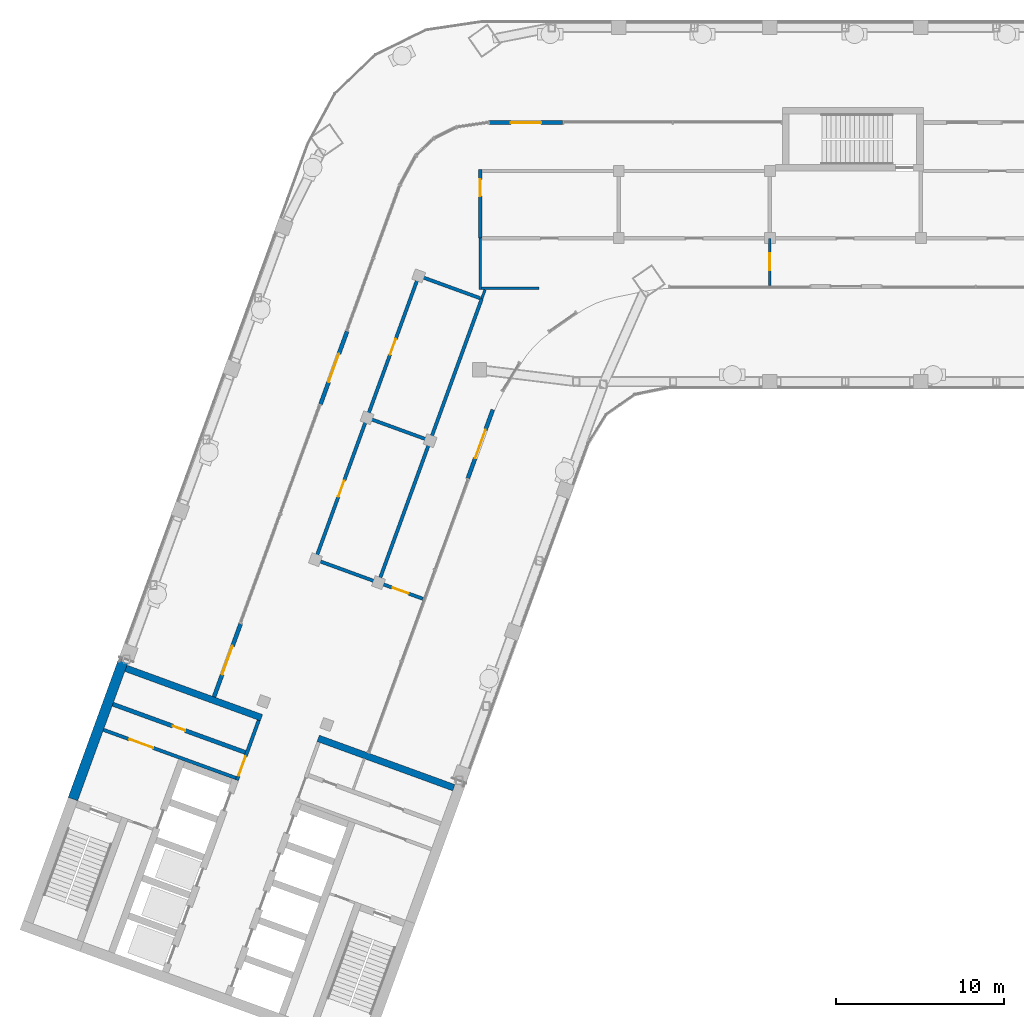
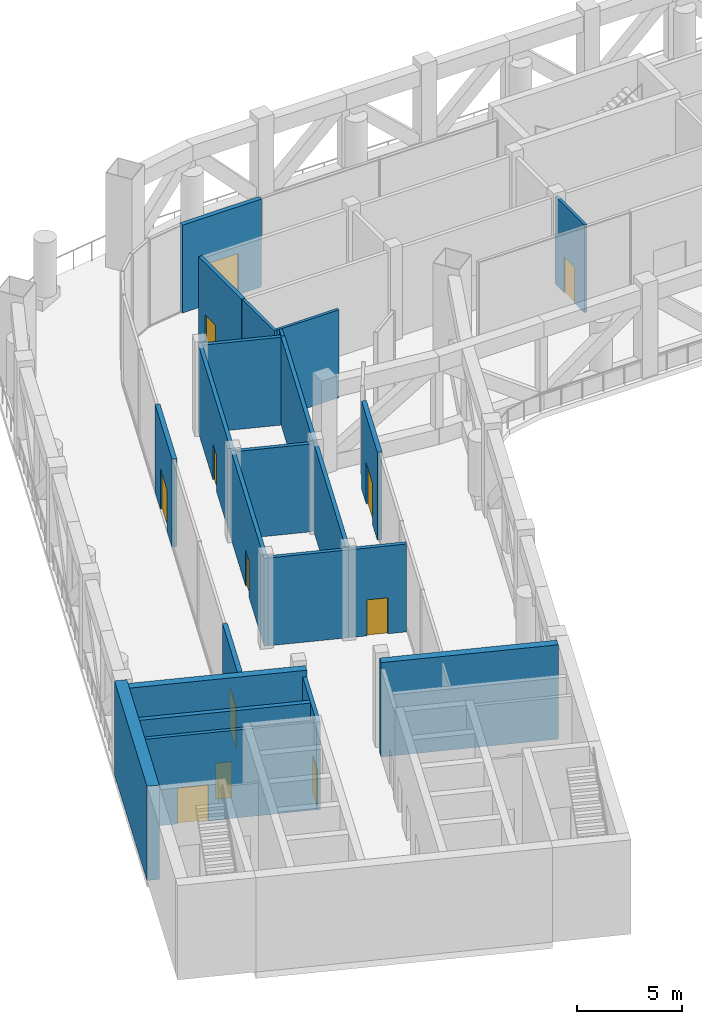
# One storey, part 12 of 19: 23 walls, 12 doors, 12 openings.
"""IFC4 building model written with IfcOpenShell, lengths in metres."""

import ifcopenshell
import ifcopenshell.guid

model = None  # the IFC model being written
_history = None  # IfcOwnerHistory: only IFC2X3 demands one
_inside = {}  # id of a spatial element -> (the spatial element, [elements in it])
_under = {}  # id of a project, library or spatial element -> (it, [spatial elements below it])
_declared = {}  # id of a project -> (the project, [libraries it declares])
_typed = {}  # id of a type object -> (the type object, [elements of that type])
_made_of = {}  # id of a material, layer set ... -> (it, [elements and type objects made of it])


def new_model(schema):
    """Start an empty IFC model of exactly this schema.

    Asked for "IFC4X3", IfcOpenShell would pick the latest addendum, in which some entities
    have other attributes; the version numbers below select the first issue.
    IFC2X3 requires an IfcOwnerHistory on every rooted entity: one is made here for all.
    """
    global model, _history
    if schema == "IFC4X3":
        model = ifcopenshell.file(schema_version=(4, 3, 0, 0))
    else:
        model = ifcopenshell.file(schema=schema)
    _inside.clear()
    _under.clear()
    _declared.clear()
    _typed.clear()
    _made_of.clear()
    _history = None
    if model.schema == "IFC2X3":
        org = make("IfcOrganization", Name="unknown")
        user = make(
            "IfcPersonAndOrganization",
            ThePerson=make("IfcPerson", FamilyName="unknown"),
            TheOrganization=org,
        )
        app = make(
            "IfcApplication",
            ApplicationDeveloper=org,
            Version="unknown",
            ApplicationFullName="unknown",
            ApplicationIdentifier="unknown",
        )
        _history = make(
            "IfcOwnerHistory",
            OwningUser=user,
            OwningApplication=app,
            ChangeAction="ADDED",
            CreationDate=0,
        )
    return model


def make(cls, **values):
    """One entity of the class cls with the attributes given. An attribute that is None is left unset."""
    return model.create_entity(
        cls, **{name: value for name, value in values.items() if value is not None}
    )


def rooted(cls, **values):
    """An entity with a GlobalId (a new one), such as an element, a storey or a relation."""
    return make(cls, GlobalId=ifcopenshell.guid.new(), OwnerHistory=_history, **values)


def si_unit(unit_type, name, prefix=None):
    """IfcSIUnit, for example si_unit("LENGTHUNIT", "METRE", prefix="MILLI")."""
    return make("IfcSIUnit", UnitType=unit_type, Prefix=prefix, Name=name)


def assignment(units):
    """IfcUnitAssignment: the units of a project."""
    return None if units is None else make("IfcUnitAssignment", Units=units)


def point(xyz):
    """IfcCartesianPoint."""
    return None if xyz is None else make("IfcCartesianPoint", Coordinates=xyz)


def direction(xyz):
    """IfcDirection."""
    return None if xyz is None else make("IfcDirection", DirectionRatios=xyz)


def frame(location, z_axis=None, x_axis=None):
    """IfcAxis2Placement3D, a coordinate frame: its origin and axes. An axis left out is left unset."""
    return make(
        "IfcAxis2Placement3D",
        Location=point(location),
        Axis=direction(z_axis),
        RefDirection=direction(x_axis),
    )


def frame_2d(location, x_axis=None):
    """IfcAxis2Placement2D, a coordinate frame in the plane: its origin and x axis."""
    return make(
        "IfcAxis2Placement2D", Location=point(location), RefDirection=direction(x_axis)
    )


def origin():
    """The frame at (0, 0, 0) with its axes left unset."""
    return frame((0.0, 0.0, 0.0))


def place(relative_to, where):
    """IfcLocalPlacement: puts the frame where relative to a parent placement (None: the world)."""
    return make(
        "IfcLocalPlacement", PlacementRelTo=relative_to, RelativePlacement=where
    )


def context(
    kind, dimensions, precision=None, world=None, true_north=None, identifier=None
):
    """IfcGeometricRepresentationContext, for example the 3D "Model" context."""
    return make(
        "IfcGeometricRepresentationContext",
        ContextIdentifier=identifier,
        ContextType=kind,
        CoordinateSpaceDimension=dimensions,
        Precision=precision,
        WorldCoordinateSystem=world,
        TrueNorth=true_north,
    )


def subcontext(parent, identifier, kind, view, scale=None):
    """IfcGeometricRepresentationSubContext, for example "Body" below "Model"."""
    return make(
        "IfcGeometricRepresentationSubContext",
        ContextIdentifier=identifier,
        ContextType=kind,
        ParentContext=parent,
        TargetScale=scale,
        TargetView=view,
    )


def project(units=None, contexts=None):
    """IfcProject with its units and contexts."""
    return rooted(
        "IfcProject",
        Name="project",
        RepresentationContexts=contexts,
        UnitsInContext=assignment(units),
    )


def spatial(cls, under=None, at=None, **own):
    """A site, building, storey or space (cls), placed at a placement, below another one or the project."""
    s = rooted(cls, ObjectPlacement=at, **own)
    if under is not None:
        _under.setdefault(under.id(), (under, []))[1].append(s)
    return s


def profile(cls, at=None, kind="AREA", **sizes):
    """A parametric profile (cls). Its sizes go by their IFC names, for example OverallWidth=200.0."""
    return make(cls, ProfileType=kind, Position=at, **sizes)


def rectangle(**sizes):
    """IfcRectangleProfileDef."""
    return profile("IfcRectangleProfileDef", **sizes)


def extrude(swept, where, along, depth):
    """IfcExtrudedAreaSolid: the profile swept, set in the frame where, extruded along a direction by depth."""
    return make(
        "IfcExtrudedAreaSolid",
        SweptArea=swept,
        Position=where,
        ExtrudedDirection=direction(along),
        Depth=depth,
    )


def shape(context_of_items, identifier, shape_type, items):
    """IfcShapeRepresentation: the items that make up one representation, for example the "Body"."""
    return make(
        "IfcShapeRepresentation",
        ContextOfItems=context_of_items,
        RepresentationIdentifier=identifier,
        RepresentationType=shape_type,
        Items=items,
    )


def material(Name=None, Category=None):
    """IfcMaterial."""
    return make("IfcMaterial", Name=Name, Category=Category)


def layer(
    of_material, thickness, ventilated=None, Name=None, Category=None, Priority=None
):
    """IfcMaterialLayer: one layer of a wall or slab, of a material (None: an air gap)."""
    return make(
        "IfcMaterialLayer",
        Material=of_material,
        LayerThickness=thickness,
        IsVentilated=ventilated,
        Name=Name,
        Category=Category,
        Priority=Priority,
    )


def layer_set(layers, Name=None):
    """IfcMaterialLayerSet."""
    return make("IfcMaterialLayerSet", MaterialLayers=layers, LayerSetName=Name)


def made_of(thing, what):
    """Note that an element or type object is made of a material, layer set ...; save() writes the relation."""
    if what is not None:
        _made_of.setdefault(what.id(), (what, []))[1].append(thing)
    return thing


def type_object(cls, material=None, **own):
    """A type object (cls), such as IfcWallType, which elements share."""
    return made_of(rooted(cls, **own), material)


def element(
    cls,
    number,
    at=None,
    inside=None,
    cuts=None,
    type_object=None,
    material=None,
    context=None,
    identifier="Body",
    shape_type=None,
    held_by="IfcProductDefinitionShape",
    body=None,
    shapes=None,
    **own,
):
    """One element of the class cls, such as IfcWall. Its Tag is "e" and its number.

    at: its placement. inside: the storey or other place that contains it. cuts: it is an
    opening in that element (IfcRelVoidsElement). A single representation is given by context,
    identifier, shape_type and body (its items); several are given by shapes. held_by: the class
    of the entity that holds the representations. save() writes the other relations.
    """
    e = rooted(cls, Tag="e%d" % number, ObjectPlacement=at, **own)
    if body is not None:
        shapes = [shape(context, identifier, shape_type, body)]
    if shapes is not None:
        e.Representation = make(held_by, Representations=shapes)
    if inside is not None:
        _inside.setdefault(inside.id(), (inside, []))[1].append(e)
    if cuts is not None:
        rooted(
            "IfcRelVoidsElement", RelatingBuildingElement=cuts, RelatedOpeningElement=e
        )
    if type_object is not None:
        _typed.setdefault(type_object.id(), (type_object, []))[1].append(e)
    return made_of(e, material)


def fill(opening, filler):
    """IfcRelFillsElement: the door or window that sits in an opening."""
    return rooted(
        "IfcRelFillsElement",
        RelatingOpeningElement=opening,
        RelatedBuildingElement=filler,
    )


def aggregate(whole, parts):
    """IfcRelAggregates: a whole, such as a stair, and the parts it consists of."""
    return rooted("IfcRelAggregates", RelatingObject=whole, RelatedObjects=parts)


def save(model, path):
    """Write the relations noted so far, then the file.

    IfcRelAggregates (storeys below a building ...), IfcRelContainedInSpatialStructure (elements
    in a storey), IfcRelDefinesByType, IfcRelAssociatesMaterial and IfcRelDeclares: one each for
    every whole, place, type object, material and project.
    """
    for whole, parts in _under.values():
        aggregate(whole, parts)
    for where, things in _inside.values():
        rooted(
            "IfcRelContainedInSpatialStructure",
            RelatedElements=things,
            RelatingStructure=where,
        )
    for kind, things in _typed.values():
        rooted("IfcRelDefinesByType", RelatedObjects=things, RelatingType=kind)
    for what, things in _made_of.values():
        rooted("IfcRelAssociatesMaterial", RelatedObjects=things, RelatingMaterial=what)
    for by, libraries in _declared.values():
        rooted("IfcRelDeclares", RelatingContext=by, RelatedDefinitions=libraries)
    model.write(path)


model = new_model("IFC4")

# Units and contexts
model_context = context("Model", 3, precision=1e-05, world=origin(), true_north=direction((0.0, 1.0)))
body_context = subcontext(model_context, "Body", "Model", "MODEL_VIEW")
ifc_project = project(units=[si_unit("LENGTHUNIT", "METRE"), si_unit("AREAUNIT", "SQUARE_METRE"), si_unit("VOLUMEUNIT", "CUBIC_METRE"), si_unit("PLANEANGLEUNIT", "RADIAN"), si_unit("MASSUNIT", "GRAM", prefix="KILO")], contexts=[model_context])

# Site, building, storey
site_placement = place(None, origin())
site = spatial("IfcSite", under=ifc_project, at=site_placement, CompositionType="ELEMENT")
building_placement = place(site_placement, origin())
building = spatial("IfcBuilding", under=site, at=building_placement, Name="Skarvind Civic Tower", CompositionType="ELEMENT")
storey_placement = place(building_placement, frame((0.0, 0.0, 129.0)))
storey = spatial("IfcBuildingStorey", under=building, at=storey_placement, Name="L30", CompositionType="ELEMENT", Elevation=129.0)

# Wall, opening, door
ifc_material_1 = material(Name="Fire-rated masonry partition", Category="masonry")
ifc_layer_1 = layer(ifc_material_1, 0.199951171875)
ifc_layer_set_1 = layer_set([ifc_layer_1], Name="Core enclosure wall 200")
wall_type_1 = type_object("IfcWallType", Name="Core enclosure wall 200", PredefinedType="PARTITIONING", material=ifc_layer_set_1)
wall_1_placement = place(storey_placement, frame((31.491455078125, 93.693359375, 0.0), z_axis=(0.0, 0.0, 1.0), x_axis=(0.341995824804, 0.939701471648, 0.0)))
wall_1 = element("IfcWall", 1, at=wall_1_placement, inside=storey, type_object=wall_type_1, Name="Core wall C2", PredefinedType="PARTITIONING", context=body_context, shape_type="SweptSolid", body=[
    extrude(rectangle(XDim=3.800048828125, YDim=0.199951171875, at=frame_2d((1.89990234375, 0.0))), origin(), (0.0, 0.0, 1.0), 5.125),
])
opening_1_placement = place(wall_1_placement, frame((0.300048828125, 0.0, 0.0)))
opening_1 = element("IfcOpeningElement", 2, at=opening_1_placement, cuts=wall_1, Name="Opening D-L30-C2-10", PredefinedType="OPENING", context=body_context, shape_type="SweptSolid", body=[
    extrude(rectangle(XDim=1.199951171875, YDim=2.10009765625, at=frame_2d((0.60009765625, 1.050048828125))), frame((0.0, 0.10986328125, 0.0), z_axis=(0.0, -1.0, 0.0), x_axis=(1.0, 0.0, 0.0)), (0.0, 0.0, 1.0), 0.219970703125),
])
ifc_material_2 = material(Name="Fire-rated steel door", Category="steel")
door_type_1 = type_object("IfcDoorType", Name="Core lobby door 1200", OperationType="NOTDEFINED", PredefinedType="DOOR", material=ifc_material_2)
door_1_placement = place(opening_1_placement, origin())
door_1 = element("IfcDoor", 3, at=door_1_placement, inside=storey, type_object=door_type_1, Name="Fire door", OperationType="DOUBLE_DOOR_SINGLE_SWING", OverallHeight=2.10009765625, OverallWidth=1.199951171875, PredefinedType="DOOR", context=body_context, shape_type="SweptSolid", body=[
    extrude(rectangle(XDim=1.199951171875, YDim=2.10009765625, at=frame_2d((0.60009765625, 1.050048828125))), frame((0.0, 0.02490234375, 0.0), z_axis=(0.0, -1.0, 0.0), x_axis=(1.0, 0.0, 0.0)), (0.0, 0.0, 1.0), 0.050048828125),
])
fill(opening_1, door_1)

wall_2_placement = place(storey_placement, frame((23.5380859375, 96.6943359375, 0.0), z_axis=(0.0, 0.0, 1.0), x_axis=(0.939691552312, -0.342023078919, 0.0)))
wall_2 = element("IfcWall", 4, at=wall_2_placement, inside=storey, type_object=wall_type_1, Name="Core wall C2", PredefinedType="PARTITIONING", context=body_context, shape_type="SweptSolid", body=[
    extrude(rectangle(XDim=8.400146484375, YDim=0.199951171875, at=frame_2d((4.2001953125, 0.0))), origin(), (0.0, 0.0, 1.0), 5.125),
])
opening_2_placement = place(wall_2_placement, frame((1.64990234375, 0.0, 0.0)))
opening_2 = element("IfcOpeningElement", 5, at=opening_2_placement, cuts=wall_2, Name="Opening D-L30-C2-11", PredefinedType="OPENING", context=body_context, shape_type="SweptSolid", body=[
    extrude(rectangle(XDim=1.5, YDim=2.10009765625, at=frame_2d((0.75, 1.050048828125))), frame((0.0, 0.10986328125, 0.0), z_axis=(0.0, -1.0, 0.0), x_axis=(1.0, 0.0, 0.0)), (0.0, 0.0, 1.0), 0.219970703125),
])
door_type_2 = type_object("IfcDoorType", Name="Fire door 1500", OperationType="NOTDEFINED", PredefinedType="DOOR", material=ifc_material_2)
door_2_placement = place(opening_2_placement, origin())
door_2 = element("IfcDoor", 6, at=door_2_placement, inside=storey, type_object=door_type_2, Name="Fire door", OperationType="DOUBLE_DOOR_SINGLE_SWING", OverallHeight=2.10009765625, OverallWidth=1.5, PredefinedType="DOOR", context=body_context, shape_type="SweptSolid", body=[
    extrude(rectangle(XDim=1.5, YDim=2.10009765625, at=frame_2d((0.75, 1.050048828125))), frame((0.0, 0.02490234375, 0.0), z_axis=(0.0, -1.0, 0.0), x_axis=(1.0, 0.0, 0.0)), (0.0, 0.0, 1.0), 0.050048828125),
])
fill(opening_2, door_2)

# Walls
ifc_material_3 = material(Name="Concrete C80", Category="concrete")
ifc_layer_2 = layer(ifc_material_3, 0.39990234375)
ifc_layer_set_2 = layer_set([ifc_layer_2], Name="Core wall 400 C80")
wall_type_2 = type_object("IfcWallType", Name="Core wall 400 C80", PredefinedType="SHEAR", material=ifc_layer_set_2)
for number, where, z_axis, x_axis, name in (
    (7, (44.417724609375, 93.2451171875, 0.0), (0.0, 0.0, 1.0), (-0.93969060187, 0.342025690201, 0.0), "Core wall C2 south inner face L30"),
    (8, (32.953369140625, 97.417724609375, 0.0), (0.0, 0.0, 1.0), (-0.93969060187, 0.342025690201, 0.0), "Core wall C2 north inner face L30"),
):
    element("IfcWall", number, at=place(storey_placement, frame(where, z_axis=z_axis, x_axis=x_axis)), inside=storey, type_object=wall_type_2, Name=name, PredefinedType="SHEAR", context=body_context, shape_type="SweptSolid", body=[
        extrude(rectangle(XDim=8.599853515625, YDim=0.39990234375, at=frame_2d((4.2998046875, 0.0))), origin(), (0.0, 0.0, 1.0), 5.5),
    ])
ifc_layer_3 = layer(ifc_material_3, 0.60009765625)
ifc_layer_set_3 = layer_set([ifc_layer_3], Name="Core wall 600 C80")
wall_type_3 = type_object("IfcWallType", Name="Core wall 600 C80", PredefinedType="SHEAR", material=ifc_layer_set_3)
wall_3_placement = place(storey_placement, frame((21.71728515625, 92.568359375, 0.0), z_axis=(0.0, 0.0, 1.0), x_axis=(0.342017595281, 0.939693548195, 0.0)))
element("IfcWall", 9, at=wall_3_placement, inside=storey, type_object=wall_type_3, Name="Core wall C2 north side L30", PredefinedType="SHEAR", context=body_context, shape_type="SweptSolid", body=[
    extrude(rectangle(XDim=8.925048828125, YDim=0.60009765625, at=frame_2d((4.46240234375, 0.0))), origin(), (0.0, 0.0, 1.0), 5.5),
])

# Wall, opening, door
ifc_material_4 = material(Name="Fire-rated blockwork wall, plastered", Category="masonry")
ifc_layer_4 = layer(ifc_material_4, 0.199951171875)
ifc_layer_set_4 = layer_set([ifc_layer_4], Name="FIRE WALL 200 EI 120")
wall_type_4 = type_object("IfcWallType", Name="FIRE WALL 200 EI 120", PredefinedType="PARTITIONING", material=ifc_layer_set_4)
wall_4_placement = place(storey_placement, frame((39.2470703125, 115.29296875, 0.0), z_axis=(0.0, 0.0, 1.0), x_axis=(-0.341995091026, -0.939701738699, 0.0)))
wall_4 = element("IfcWall", 10, at=wall_4_placement, inside=storey, type_object=wall_type_4, Name="Separator partition L30 001", PredefinedType="PARTITIONING", context=body_context, shape_type="SweptSolid", body=[
    extrude(rectangle(XDim=9.099609375, YDim=0.199951171875, at=frame_2d((4.5498046875, 0.0))), origin(), (0.0, 0.0, 1.0), 5.125),
])
opening_3_placement = place(wall_4_placement, frame((4.0, 0.0, 0.0)))
opening_3 = element("IfcOpeningElement", 11, at=opening_3_placement, cuts=wall_4, Name="Opening L30-D201", PredefinedType="OPENING", context=body_context, shape_type="SweptSolid", body=[
    extrude(rectangle(XDim=1.0, YDim=2.10009765625, at=frame_2d((0.5, 1.050048828125))), frame((0.0, 0.10986328125, 0.0), z_axis=(0.0, -1.0, 0.0), x_axis=(1.0, 0.0, 0.0)), (0.0, 0.0, 1.0), 0.219970703125),
])
ifc_material_5 = material(Name="Painted steel fire door leaf", Category="steel")
door_type_3 = type_object("IfcDoorType", Name="FIRE DOOR 1000X2100 STEEL", OperationType="NOTDEFINED", PredefinedType="DOOR", material=ifc_material_5)
door_3_placement = place(opening_3_placement, origin())
door_3 = element("IfcDoor", 12, at=door_3_placement, inside=storey, type_object=door_type_3, Name="FIRE DOOR", OperationType="SINGLE_SWING_RIGHT", OverallHeight=2.10009765625, OverallWidth=1.0, PredefinedType="DOOR", context=body_context, shape_type="SweptSolid", body=[
    extrude(rectangle(XDim=1.0, YDim=2.10009765625, at=frame_2d((0.5, 1.050048828125))), frame((0.0, 0.02490234375, 0.0), z_axis=(0.0, -1.0, 0.0), x_axis=(1.0, 0.0, 0.0)), (0.0, 0.0, 1.0), 0.050048828125),
])
fill(opening_3, door_3)

# Walls
wall_5_placement = place(storey_placement, frame((36.262939453125, 106.802001953125, 0.0), z_axis=(0.0, 0.0, 1.0), x_axis=(0.939661734164, -0.342104991703, 0.0)))
element("IfcWall", 13, at=wall_5_placement, inside=storey, type_object=wall_type_4, Name="Separator partition L30 002", PredefinedType="PARTITIONING", context=body_context, shape_type="SweptSolid", body=[
    extrude(rectangle(XDim=3.8994140625, YDim=0.199951171875, at=frame_2d((1.94970703125, 0.0))), origin(), (0.0, 0.0, 1.0), 5.125),
])
wall_6_placement = place(storey_placement, frame((39.341064453125, 115.259033203125, 0.0), z_axis=(0.0, 0.0, 1.0), x_axis=(0.939667689469, -0.342088633789, 0.0)))
element("IfcWall", 14, at=wall_6_placement, inside=storey, type_object=wall_type_4, Name="Separator partition L30 004", PredefinedType="PARTITIONING", context=body_context, shape_type="SweptSolid", body=[
    extrude(rectangle(XDim=3.80029296875, YDim=0.199951171875, at=frame_2d((1.900146484375, 0.0))), origin(), (0.0, 0.0, 1.0), 5.125),
])
wall_7_placement = place(storey_placement, frame((39.9609375, 105.56201171875, 0.0), z_axis=(0.0, 0.0, 1.0), x_axis=(0.342146086239, 0.939646771756, 0.0)))
element("IfcWall", 15, at=wall_7_placement, inside=storey, type_object=wall_type_4, Name="Separator partition L30 006", PredefinedType="PARTITIONING", context=body_context, shape_type="SweptSolid", body=[
    extrude(rectangle(XDim=8.900146484375, YDim=0.199951171875, at=frame_2d((4.4501953125, 0.0))), origin(), (0.0, 0.0, 1.0), 5.125),
])

# Wall, opening, door
ifc_layer_5 = layer(ifc_material_4, 0.199951171875)
ifc_layer_set_5 = layer_set([ifc_layer_5], Name="FIRE WALL 200 EI 60")
wall_type_5 = type_object("IfcWallType", Name="FIRE WALL 200 EI 60", PredefinedType="PARTITIONING", material=ifc_layer_set_5)
wall_8_placement = place(storey_placement, frame((42.35888671875, 123.844970703125, 0.0), z_axis=(0.0, 0.0, 1.0), x_axis=(-0.341936915144, -0.939722909193, 0.0)))
wall_8 = element("IfcWall", 16, at=wall_8_placement, inside=storey, type_object=wall_type_5, Name="Separator partition L30 003", PredefinedType="PARTITIONING", context=body_context, shape_type="SweptSolid", body=[
    extrude(rectangle(XDim=9.1005859375, YDim=0.199951171875, at=frame_2d((4.55029296875, 0.0))), origin(), (0.0, 0.0, 1.0), 5.125),
])
opening_4_placement = place(wall_8_placement, frame((4.10009765625, 0.0, 0.0)))
opening_4 = element("IfcOpeningElement", 17, at=opening_4_placement, cuts=wall_8, Name="Opening L30-D202", PredefinedType="OPENING", context=body_context, shape_type="SweptSolid", body=[
    extrude(rectangle(XDim=1.0, YDim=2.10009765625, at=frame_2d((0.5, 1.050048828125))), frame((0.0, 0.10986328125, 0.0), z_axis=(0.0, -1.0, 0.0), x_axis=(1.0, 0.0, 0.0)), (0.0, 0.0, 1.0), 0.219970703125),
])
door_4_placement = place(opening_4_placement, origin())
door_4 = element("IfcDoor", 18, at=door_4_placement, inside=storey, type_object=door_type_3, Name="FIRE DOOR", OperationType="SINGLE_SWING_LEFT", OverallHeight=2.10009765625, OverallWidth=1.0, PredefinedType="DOOR", context=body_context, shape_type="SweptSolid", body=[
    extrude(rectangle(XDim=1.0, YDim=2.10009765625, at=frame_2d((0.5, 1.050048828125))), frame((0.0, 0.02490234375, 0.0), z_axis=(0.0, -1.0, 0.0), x_axis=(1.0, 0.0, 0.0)), (0.0, 0.0, 1.0), 0.050048828125),
])
fill(opening_4, door_4)

wall_9_placement = place(storey_placement, frame((39.927001953125, 105.468017578125, 0.0), z_axis=(0.0, 0.0, 1.0), x_axis=(0.939735268824, -0.341902946065, 0.0)))
wall_9 = element("IfcWall", 19, at=wall_9_placement, inside=storey, type_object=wall_type_5, Name="Separator partition L30 005", PredefinedType="PARTITIONING", context=body_context, shape_type="SweptSolid", body=[
    extrude(rectangle(XDim=2.81982421875, YDim=0.199951171875, at=frame_2d((1.409912109375, 0.0))), origin(), (0.0, 0.0, 1.0), 5.125),
])
opening_5_placement = place(wall_9_placement, frame((0.90087890625, 0.0, 0.0)))
opening_5 = element("IfcOpeningElement", 20, at=opening_5_placement, cuts=wall_9, Name="Opening L30-D203", PredefinedType="OPENING", context=body_context, shape_type="SweptSolid", body=[
    extrude(rectangle(XDim=1.0, YDim=2.10009765625, at=frame_2d((0.5, 1.050048828125))), frame((0.0, 0.10986328125, 0.0), z_axis=(0.0, -1.0, 0.0), x_axis=(1.0, 0.0, 0.0)), (0.0, 0.0, 1.0), 0.219970703125),
])
door_5_placement = place(opening_5_placement, origin())
door_5 = element("IfcDoor", 21, at=door_5_placement, inside=storey, type_object=door_type_3, Name="FIRE DOOR", OperationType="SINGLE_SWING_RIGHT", OverallHeight=2.10009765625, OverallWidth=1.0, PredefinedType="DOOR", context=body_context, shape_type="SweptSolid", body=[
    extrude(rectangle(XDim=1.0, YDim=2.10009765625, at=frame_2d((0.5, 1.050048828125))), frame((0.0, 0.02490234375, 0.0), z_axis=(0.0, -1.0, 0.0), x_axis=(1.0, 0.0, 0.0)), (0.0, 0.0, 1.0), 0.050048828125),
])
fill(opening_5, door_5)

# Walls
wall_10_placement = place(storey_placement, frame((42.4189453125, 123.717041015625, 0.0), z_axis=(0.0, 0.0, 1.0), x_axis=(0.939667689469, -0.342088633789, 0.0)))
element("IfcWall", 22, at=wall_10_placement, inside=storey, type_object=wall_type_5, Name="Separator partition L30 007", PredefinedType="PARTITIONING", context=body_context, shape_type="SweptSolid", body=[
    extrude(rectangle(XDim=3.80029296875, YDim=0.199951171875, at=frame_2d((1.900146484375, 0.0))), origin(), (0.0, 0.0, 1.0), 5.125),
])
wall_11_placement = place(storey_placement, frame((43.006103515625, 113.925048828125, 0.0), z_axis=(0.0, 0.0, 1.0), x_axis=(0.341963022424, 0.939713409128, 0.0)))
element("IfcWall", 23, at=wall_11_placement, inside=storey, type_object=wall_type_5, Name="Separator partition L30 008", PredefinedType="PARTITIONING", context=body_context, shape_type="SweptSolid", body=[
    extrude(rectangle(XDim=9.000732421875, YDim=0.199951171875, at=frame_2d((4.50048828125, 0.0))), origin(), (0.0, 0.0, 1.0), 5.125),
])

# Wall, opening, door
wall_12_placement = place(storey_placement, frame((46.0, 130.10009765625, 0.0), z_axis=(0.0, 0.0, 1.0), x_axis=(0.0, -1.0, 0.0)))
wall_12 = element("IfcWall", 24, at=wall_12_placement, inside=storey, type_object=wall_type_5, Name="Separator partition L30 011", PredefinedType="PARTITIONING", context=body_context, shape_type="SweptSolid", body=[
    extrude(rectangle(XDim=4.10009765625, YDim=0.199951171875, at=frame_2d((2.050048828125, 0.0))), origin(), (0.0, 0.0, 1.0), 5.125),
])
opening_6_placement = place(wall_12_placement, frame((0.60205078125, 0.0, 0.0)))
opening_6 = element("IfcOpeningElement", 25, at=opening_6_placement, cuts=wall_12, Name="Opening L30-D204", PredefinedType="OPENING", context=body_context, shape_type="SweptSolid", body=[
    extrude(rectangle(XDim=1.0, YDim=2.10009765625, at=frame_2d((0.5, 1.050048828125))), frame((0.0, 0.10986328125, 0.0), z_axis=(0.0, -1.0, 0.0), x_axis=(1.0, 0.0, 0.0)), (0.0, 0.0, 1.0), 0.219970703125),
])
door_6_placement = place(opening_6_placement, origin())
door_6 = element("IfcDoor", 26, at=door_6_placement, inside=storey, type_object=door_type_3, Name="FIRE DOOR", OperationType="SINGLE_SWING_LEFT", OverallHeight=2.10009765625, OverallWidth=1.0, PredefinedType="DOOR", context=body_context, shape_type="SweptSolid", body=[
    extrude(rectangle(XDim=1.0, YDim=2.10009765625, at=frame_2d((0.5, 1.050048828125))), frame((0.0, 0.02490234375, 0.0), z_axis=(0.0, -1.0, 0.0), x_axis=(1.0, 0.0, 0.0)), (0.0, 0.0, 1.0), 0.050048828125),
])
fill(opening_6, door_6)

# Walls
ifc_material_6 = material(Name="Plasterboard partition on steel studs", Category="steel")
ifc_layer_6 = layer(ifc_material_6, 0.14990234375)
ifc_layer_set_6 = layer_set([ifc_layer_6], Name="PARTITION 150")
wall_type_6 = type_object("IfcWallType", Name="PARTITION 150", PredefinedType="PARTITIONING", material=ifc_layer_set_6)
wall_13_placement = place(storey_placement, frame((46.0, 122.925048828125, 0.0), z_axis=(0.0, 0.0, 1.0), x_axis=(0.0, 1.0, 0.0)))
element("IfcWall", 27, at=wall_13_placement, inside=storey, type_object=wall_type_6, Name="Separator partition L30 009", PredefinedType="PARTITIONING", context=body_context, shape_type="SweptSolid", body=[
    extrude(rectangle(XDim=3.074951171875, YDim=0.14990234375, at=frame_2d((1.53759765625, 0.0))), origin(), (0.0, 0.0, 1.0), 5.125),
])
wall_14_placement = place(storey_placement, frame((46.074951171875, 123.0, 0.0), z_axis=(0.0, 0.0, 1.0), x_axis=(1.0, 0.0, 0.0)))
element("IfcWall", 28, at=wall_14_placement, inside=storey, type_object=wall_type_6, Name="Separator partition L30 010", PredefinedType="PARTITIONING", context=body_context, shape_type="SweptSolid", body=[
    extrude(rectangle(XDim=3.426025390625, YDim=0.14990234375, at=frame_2d((1.712890625, 0.0))), origin(), (0.0, 0.0, 1.0), 5.125),
])
wall_15_placement = place(storey_placement, frame((46.083984375, 122.383056640625, 0.0), z_axis=(0.0, 0.0, 1.0), x_axis=(0.343135526399, 0.939285904569, 0.0)))
element("IfcWall", 29, at=wall_15_placement, inside=storey, type_object=wall_type_6, Name="Separator partition L30 014", PredefinedType="PARTITIONING", context=body_context, shape_type="SweptSolid", body=[
    extrude(rectangle(XDim=0.576904296875, YDim=0.14990234375, at=frame_2d((0.28857421875, 0.0))), origin(), (0.0, 0.0, 1.0), 5.125),
])

# Wall, opening, door
wall_16_placement = place(storey_placement, frame((63.25, 123.179931640625, 0.0), z_axis=(0.0, 0.0, 1.0), x_axis=(0.0, 1.0, 0.0)))
wall_16 = element("IfcWall", 30, at=wall_16_placement, inside=storey, type_object=wall_type_6, Name="Separator partition L30 016", PredefinedType="PARTITIONING", context=body_context, shape_type="SweptSolid", body=[
    extrude(rectangle(XDim=2.800048828125, YDim=0.14990234375, at=frame_2d((1.39990234375, 0.0))), origin(), (0.0, 0.0, 1.0), 5.125),
])
opening_7_placement = place(wall_16_placement, frame((0.919921875, 0.0, 0.0)))
opening_7 = element("IfcOpeningElement", 31, at=opening_7_placement, cuts=wall_16, Name="Opening L30-D207", PredefinedType="OPENING", context=body_context, shape_type="SweptSolid", body=[
    extrude(rectangle(XDim=1.0, YDim=2.10009765625, at=frame_2d((0.5, 1.050048828125))), frame((0.0, 0.0849609375, 0.0), z_axis=(0.0, -1.0, 0.0), x_axis=(1.0, 0.0, 0.0)), (0.0, 0.0, 1.0), 0.169921875),
])
ifc_material_7 = material(Name="Timber veneer door leaf", Category="wood")
door_type_4 = type_object("IfcDoorType", Name="DOOR 1000X2100 TIMBER", OperationType="NOTDEFINED", PredefinedType="DOOR", material=ifc_material_7)
door_7_placement = place(opening_7_placement, origin())
door_7 = element("IfcDoor", 32, at=door_7_placement, inside=storey, type_object=door_type_4, Name="DOOR DOOR", OperationType="SINGLE_SWING_RIGHT", OverallHeight=2.10009765625, OverallWidth=1.0, PredefinedType="DOOR", context=body_context, shape_type="SweptSolid", body=[
    extrude(rectangle(XDim=1.0, YDim=2.10009765625, at=frame_2d((0.5, 1.050048828125))), frame((0.0, 0.02490234375, 0.0), z_axis=(0.0, -1.0, 0.0), x_axis=(1.0, 0.0, 0.0)), (0.0, 0.0, 1.0), 0.050048828125),
])
fill(opening_7, door_7)

ifc_layer_7 = layer(ifc_material_1, 0.25)
ifc_layer_set_7 = layer_set([ifc_layer_7], Name="Service block wall 250")
wall_type_7 = type_object("IfcWallType", Name="Service block wall 250", PredefinedType="PARTITIONING", material=ifc_layer_set_7)
wall_17_placement = place(storey_placement, frame((24.093994140625, 98.221435546875, 0.0), z_axis=(0.0, 0.0, 1.0), x_axis=(0.939691552312, -0.342023078919, 0.0)))
wall_17 = element("IfcWall", 33, at=wall_17_placement, inside=storey, type_object=wall_type_7, Name="Core wall C2", PredefinedType="PARTITIONING", context=body_context, shape_type="SweptSolid", body=[
    extrude(rectangle(XDim=8.400146484375, YDim=0.25, at=frame_2d((4.2001953125, 0.0))), origin(), (0.0, 0.0, 1.0), 5.125),
])
opening_8_placement = place(wall_17_placement, frame((3.800048828125, 0.0, 0.0)))
opening_8 = element("IfcOpeningElement", 34, at=opening_8_placement, cuts=wall_17, Name="Opening D-L30-C2-14", PredefinedType="OPENING", context=body_context, shape_type="SweptSolid", body=[
    extrude(rectangle(XDim=0.800048828125, YDim=2.10009765625, at=frame_2d((0.39990234375, 1.050048828125))), frame((0.0, 0.135009765625, 0.0), z_axis=(0.0, -1.0, 0.0), x_axis=(1.0, 0.0, 0.0)), (0.0, 0.0, 1.0), 0.27001953125),
])
door_type_5 = type_object("IfcDoorType", Name="Core riser door 800", OperationType="NOTDEFINED", PredefinedType="DOOR", material=ifc_material_2)
door_8_placement = place(opening_8_placement, origin())
door_8 = element("IfcDoor", 35, at=door_8_placement, inside=storey, type_object=door_type_5, Name="Riser door", OperationType="SINGLE_SWING_LEFT", OverallHeight=2.10009765625, OverallWidth=0.800048828125, PredefinedType="DOOR", context=body_context, shape_type="SweptSolid", body=[
    extrude(rectangle(XDim=0.800048828125, YDim=2.10009765625, at=frame_2d((0.39990234375, 1.050048828125))), frame((0.0, 0.02490234375, 0.0), z_axis=(0.0, -1.0, 0.0), x_axis=(1.0, 0.0, 0.0)), (0.0, 0.0, 1.0), 0.050048828125),
])
fill(opening_8, door_8)

ifc_material_8 = material(Name="Limestone masonry cladding on insulated backing", Category="masonry")
ifc_layer_8 = layer(ifc_material_8, 0.239990234375)
ifc_layer_set_8 = layer_set([ifc_layer_8], Name="WX4 STONE DOOR PIER WALL 240")
wall_type_8 = type_object("IfcWallType", Name="WX4 STONE DOOR PIER WALL 240", PredefinedType="SOLIDWALL", material=ifc_layer_set_8)
wall_18_placement = place(storey_placement, frame((46.7431640625, 115.7734375, 0.0), z_axis=(0.0, 0.0, 1.0), x_axis=(-0.342004232448, -0.939698411719, 0.0)))
wall_18 = element("IfcWall", 36, at=wall_18_placement, inside=storey, type_object=wall_type_8, Name="STONE DOOR PIER WALL", PredefinedType="SOLIDWALL", context=body_context, shape_type="SweptSolid", body=[
    extrude(rectangle(XDim=4.35302734375, YDim=0.239990234375, at=frame_2d((2.176513671875, 0.0))), origin(), (0.0, 0.0, 1.0), 5.125),
])
opening_9_placement = place(wall_18_placement, frame((1.276611328125, 0.0, 0.0)))
opening_9 = element("IfcOpeningElement", 37, at=opening_9_placement, cuts=wall_18, Name="Opening DX3", PredefinedType="OPENING", context=body_context, shape_type="SweptSolid", body=[
    extrude(rectangle(XDim=1.800048828125, YDim=2.39990234375, at=frame_2d((0.89990234375, 1.199951171875))), frame((0.0, 0.1298828125, 0.0), z_axis=(0.0, -1.0, 0.0), x_axis=(1.0, 0.0, 0.0)), (0.0, 0.0, 1.0), 0.260009765625),
])
ifc_material_9 = material(Name="Timber and glass doorset", Category="wood")
door_type_6 = type_object("IfcDoorType", Name="DX3 TERRACE DOORS 1800 x 2400", OperationType="NOTDEFINED", PredefinedType="DOOR", material=ifc_material_9)
door_9_placement = place(opening_9_placement, origin())
door_9 = element("IfcDoor", 38, at=door_9_placement, inside=storey, type_object=door_type_6, Name="TERRACE DOORS", OperationType="DOUBLE_DOOR_SINGLE_SWING", OverallHeight=2.39990234375, OverallWidth=1.800048828125, PredefinedType="DOOR", context=body_context, shape_type="SweptSolid", body=[
    extrude(rectangle(XDim=1.800048828125, YDim=2.39990234375, at=frame_2d((0.89990234375, 1.199951171875))), frame((0.0, 0.02490234375, 0.0), z_axis=(0.0, -1.0, 0.0), x_axis=(1.0, 0.0, 0.0)), (0.0, 0.0, 1.0), 0.050048828125),
])
fill(opening_9, door_9)

wall_19_placement = place(storey_placement, frame((46.539306640625, 132.8798828125, 0.0), z_axis=(0.0, 0.0, 1.0), x_axis=(1.0, 0.0, 0.0)))
wall_19 = element("IfcWall", 39, at=wall_19_placement, inside=storey, type_object=wall_type_8, Name="STONE DOOR PIER WALL", PredefinedType="SOLIDWALL", context=body_context, shape_type="SweptSolid", body=[
    extrude(rectangle(XDim=4.364990234375, YDim=0.239990234375, at=frame_2d((2.1826171875, 0.0))), origin(), (0.0, 0.0, 1.0), 5.125),
])
opening_10_placement = place(wall_19_placement, frame((1.28271484375, 0.0, 0.0)))
opening_10 = element("IfcOpeningElement", 40, at=opening_10_placement, cuts=wall_19, Name="Opening DX3", PredefinedType="OPENING", context=body_context, shape_type="SweptSolid", body=[
    extrude(rectangle(XDim=1.800048828125, YDim=2.39990234375, at=frame_2d((0.89990234375, 1.199951171875))), frame((0.0, 0.1298828125, 0.0), z_axis=(0.0, -1.0, 0.0), x_axis=(1.0, 0.0, 0.0)), (0.0, 0.0, 1.0), 0.260009765625),
])
door_10_placement = place(opening_10_placement, origin())
door_10 = element("IfcDoor", 41, at=door_10_placement, inside=storey, type_object=door_type_6, Name="TERRACE DOORS", OperationType="DOUBLE_DOOR_SINGLE_SWING", OverallHeight=2.39990234375, OverallWidth=1.800048828125, PredefinedType="DOOR", context=body_context, shape_type="SweptSolid", body=[
    extrude(rectangle(XDim=1.800048828125, YDim=2.39990234375, at=frame_2d((0.89990234375, 1.199951171875))), frame((0.0, 0.02490234375, 0.0), z_axis=(0.0, -1.0, 0.0), x_axis=(1.0, 0.0, 0.0)), (0.0, 0.0, 1.0), 0.050048828125),
])
fill(opening_10, door_10)

wall_20_placement = place(storey_placement, frame((30.127685546875, 98.6591796875, 0.0), z_axis=(0.0, 0.0, 1.0), x_axis=(0.341996679836, 0.939701160466, 0.0)))
wall_20 = element("IfcWall", 42, at=wall_20_placement, inside=storey, type_object=wall_type_8, Name="STONE DOOR PIER WALL", PredefinedType="SOLIDWALL", context=body_context, shape_type="SweptSolid", body=[
    extrude(rectangle(XDim=4.63720703125, YDim=0.239990234375, at=frame_2d((2.318603515625, 0.0))), origin(), (0.0, 0.0, 1.0), 5.125),
])
opening_11_placement = place(wall_20_placement, frame((1.418701171875, 0.0, 0.0)))
opening_11 = element("IfcOpeningElement", 43, at=opening_11_placement, cuts=wall_20, Name="Opening DX3", PredefinedType="OPENING", context=body_context, shape_type="SweptSolid", body=[
    extrude(rectangle(XDim=1.800048828125, YDim=2.39990234375, at=frame_2d((0.89990234375, 1.199951171875))), frame((0.0, 0.1298828125, 0.0), z_axis=(0.0, -1.0, 0.0), x_axis=(1.0, 0.0, 0.0)), (0.0, 0.0, 1.0), 0.260009765625),
])
door_11_placement = place(opening_11_placement, origin())
door_11 = element("IfcDoor", 44, at=door_11_placement, inside=storey, type_object=door_type_6, Name="TERRACE DOORS", OperationType="DOUBLE_DOOR_SINGLE_SWING", OverallHeight=2.39990234375, OverallWidth=1.800048828125, PredefinedType="DOOR", context=body_context, shape_type="SweptSolid", body=[
    extrude(rectangle(XDim=1.800048828125, YDim=2.39990234375, at=frame_2d((0.89990234375, 1.199951171875))), frame((0.0, 0.02490234375, 0.0), z_axis=(0.0, -1.0, 0.0), x_axis=(1.0, 0.0, 0.0)), (0.0, 0.0, 1.0), 0.050048828125),
])
fill(opening_11, door_11)

wall_21_placement = place(storey_placement, frame((36.4716796875, 116.089599609375, 0.0), z_axis=(0.0, 0.0, 1.0), x_axis=(0.342043168136, 0.939684240121, 0.0)))
wall_21 = element("IfcWall", 45, at=wall_21_placement, inside=storey, type_object=wall_type_8, Name="STONE DOOR PIER WALL", PredefinedType="SOLIDWALL", context=body_context, shape_type="SweptSolid", body=[
    extrude(rectangle(XDim=4.637451171875, YDim=0.239990234375, at=frame_2d((2.31884765625, 0.0))), origin(), (0.0, 0.0, 1.0), 5.125),
])
opening_12_placement = place(wall_21_placement, frame((1.418701171875, 0.0, 0.0)))
opening_12 = element("IfcOpeningElement", 46, at=opening_12_placement, cuts=wall_21, Name="Opening DX3", PredefinedType="OPENING", context=body_context, shape_type="SweptSolid", body=[
    extrude(rectangle(XDim=1.800048828125, YDim=2.39990234375, at=frame_2d((0.89990234375, 1.199951171875))), frame((0.0, 0.1298828125, 0.0), z_axis=(0.0, -1.0, 0.0), x_axis=(1.0, 0.0, 0.0)), (0.0, 0.0, 1.0), 0.260009765625),
])
door_12_placement = place(opening_12_placement, origin())
door_12 = element("IfcDoor", 47, at=door_12_placement, inside=storey, type_object=door_type_6, Name="TERRACE DOORS", OperationType="DOUBLE_DOOR_SINGLE_SWING", OverallHeight=2.39990234375, OverallWidth=1.800048828125, PredefinedType="DOOR", context=body_context, shape_type="SweptSolid", body=[
    extrude(rectangle(XDim=1.800048828125, YDim=2.39990234375, at=frame_2d((0.89990234375, 1.199951171875))), frame((0.0, 0.02490234375, 0.0), z_axis=(0.0, -1.0, 0.0), x_axis=(1.0, 0.0, 0.0)), (0.0, 0.0, 1.0), 0.050048828125),
])
fill(opening_12, door_12)

save(model, "model.ifc")
